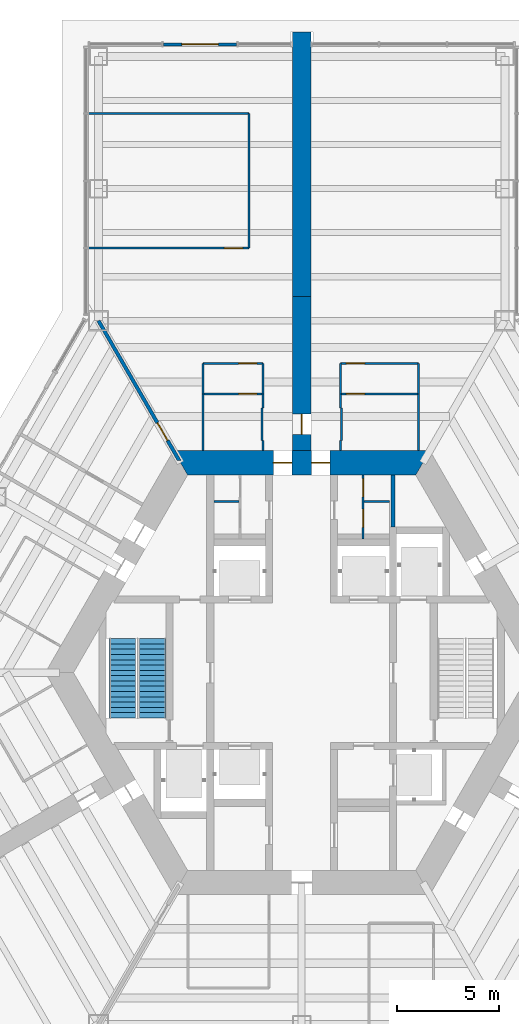
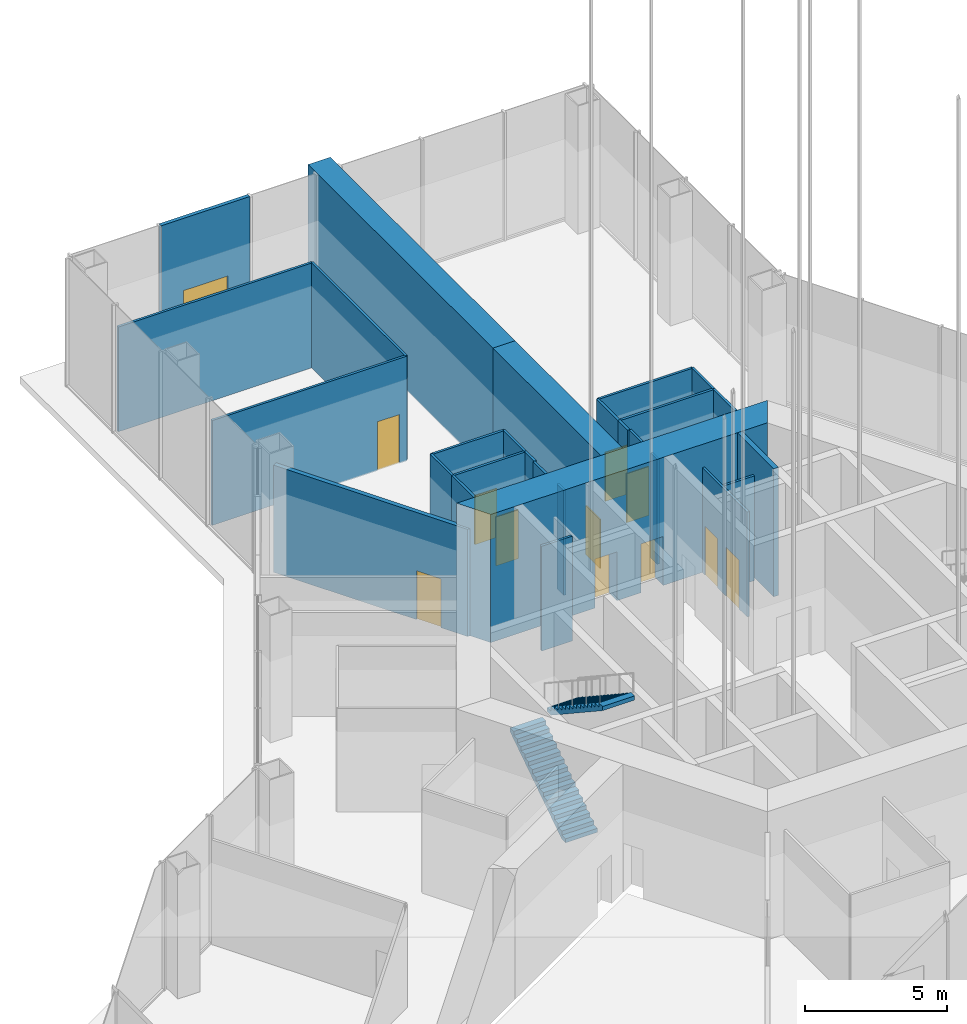
# One storey, part 12 of 18: 28 walls, 12 doors, 2 stair flights, 12 openings, 1 element without a shape of its own.
"""IFC4 building model written with IfcOpenShell, lengths in metres."""

from ifc_helpers import new_model, si_unit, direction, frame, frame_2d, origin, place, context, subcontext, project, spatial, polyline, rectangle, outline, extrude, material, layer, layer_set, type_object, element, fill, aggregate, save


model = new_model("IFC4")

# Units and contexts
model_context = context("Model", 3, precision=1e-05, world=origin(), true_north=direction((0.0, 1.0)))
body_context = subcontext(model_context, "Body", "Model", "MODEL_VIEW")
ifc_project = project(units=[si_unit("LENGTHUNIT", "METRE"), si_unit("AREAUNIT", "SQUARE_METRE"), si_unit("VOLUMEUNIT", "CUBIC_METRE"), si_unit("PLANEANGLEUNIT", "RADIAN"), si_unit("MASSUNIT", "GRAM", prefix="KILO")], contexts=[model_context])

# Site, building, storey
site_placement = place(None, origin())
site = spatial("IfcSite", under=ifc_project, at=site_placement, CompositionType="ELEMENT")
building_placement = place(site_placement, origin())
building = spatial("IfcBuilding", under=site, at=building_placement, Name="Kasaneha Research Tower", CompositionType="ELEMENT")
storey_placement = place(building_placement, origin())
storey = spatial("IfcBuildingStorey", under=building, at=storey_placement, Name="L01", CompositionType="ELEMENT", Elevation=0.0)

# Wall, openings, doors
ifc_material_1 = material(Name="Concrete Fc100", Category="concrete")
ifc_layer_1 = layer(ifc_material_1, 1.199951171875)
ifc_layer_set_1 = layer_set([ifc_layer_1], Name="Core wall 1200 Fc100")
wall_type_1 = type_object("IfcWallType", Name="Core wall 1200 Fc100", PredefinedType="SHEAR", material=ifc_layer_set_1)
wall_1_placement = place(storey_placement, frame((5.961181640625, 10.324951171875, 0.0), z_axis=(0.0, 0.0, 1.0), x_axis=(-1.0, 0.0, 0.0)))
wall_1 = element("IfcWall", 1, at=wall_1_placement, inside=storey, type_object=wall_type_1, Name="Core wall 090 L01", PredefinedType="SHEAR", context=body_context, shape_type="SweptSolid", body=[
    extrude(outline(polyline([(-0.346435546875, -0.60009765625), (4.57373046875, -0.60009765625), (5.4736328125, -0.60009765625), (6.44873046875, -0.60009765625), (7.3486328125, -0.60009765625), (12.268798828125, -0.60009765625), (11.575927734375, 0.60009765625), (7.3486328125, 0.60009765625), (6.44873046875, 0.60009765625), (5.4736328125, 0.60009765625), (4.57373046875, 0.60009765625), (0.346435546875, 0.60009765625), (-0.346435546875, -0.60009765625)])), origin(), (0.0, 0.0, 1.0), 5.5),
])
opening_1_placement = place(wall_1_placement, frame((6.44873046875, 0.0, 0.0)))
opening_1 = element("IfcOpeningElement", 2, at=opening_1_placement, cuts=wall_1, Name="Opening L01-D01", PredefinedType="OPENING", context=body_context, shape_type="SweptSolid", body=[
    extrude(rectangle(XDim=0.89990234375, YDim=2.10009765625, at=frame_2d((0.449951171875, 1.050048828125))), frame((0.0, 0.60986328125, 0.0), z_axis=(0.0, -1.0, 0.0), x_axis=(1.0, 0.0, 0.0)), (0.0, 0.0, 1.0), 1.219970703125),
])
opening_2_placement = place(wall_1_placement, frame((4.57373046875, 0.0, 0.0)))
opening_2 = element("IfcOpeningElement", 3, at=opening_2_placement, cuts=wall_1, Name="Opening L01-D02", PredefinedType="OPENING", context=body_context, shape_type="SweptSolid", body=[
    extrude(rectangle(XDim=0.89990234375, YDim=2.10009765625, at=frame_2d((0.449951171875, 1.050048828125))), frame((0.0, 0.60986328125, 0.0), z_axis=(0.0, -1.0, 0.0), x_axis=(1.0, 0.0, 0.0)), (0.0, 0.0, 1.0), 1.219970703125),
])
ifc_material_2 = material(Name="Steel", Category="steel")
door_type_1 = type_object("IfcDoorType", Name="Toilet door FD20 900x2100", OperationType="NOTDEFINED", PredefinedType="DOOR", material=ifc_material_2)
door_1_placement = place(opening_1_placement, origin())
door_1 = element("IfcDoor", 4, at=door_1_placement, inside=storey, type_object=door_type_1, Name="Core door north 1 L01-D01", OperationType="SINGLE_SWING_RIGHT", OverallHeight=2.10009765625, OverallWidth=0.89990234375, PredefinedType="DOOR", context=body_context, shape_type="SweptSolid", body=[
    extrude(rectangle(XDim=0.89990234375, YDim=2.10009765625, at=frame_2d((0.449951171875, 1.050048828125))), frame((0.0, 0.02490234375, 0.0), z_axis=(0.0, -1.0, 0.0), x_axis=(1.0, 0.0, 0.0)), (0.0, 0.0, 1.0), 0.050048828125),
])
fill(opening_1, door_1)
door_2_placement = place(opening_2_placement, origin())
door_2 = element("IfcDoor", 5, at=door_2_placement, inside=storey, type_object=door_type_1, Name="Core door north 2 L01-D02", OperationType="SINGLE_SWING_LEFT", OverallHeight=2.10009765625, OverallWidth=0.89990234375, PredefinedType="DOOR", context=body_context, shape_type="SweptSolid", body=[
    extrude(rectangle(XDim=0.89990234375, YDim=2.10009765625, at=frame_2d((0.449951171875, 1.050048828125))), frame((0.0, 0.02490234375, 0.0), z_axis=(0.0, -1.0, 0.0), x_axis=(1.0, 0.0, 0.0)), (0.0, 0.0, 1.0), 0.050048828125),
])
fill(opening_2, door_2)

# Wall, opening, door
ifc_material_3 = material(Name="Glass and aluminium", Category="aluminium")
ifc_layer_2 = layer(ifc_material_3, 0.14990234375)
ifc_layer_set_2 = layer_set([ifc_layer_2], Name="Glazed entrance screen 150")
wall_type_2 = type_object("IfcWallType", Name="Glazed entrance screen 150", PredefinedType="STANDARD", material=ifc_layer_set_2)
wall_2_placement = place(storey_placement, frame((-3.199951171875, 30.92041015625, 0.0), z_axis=(0.0, 0.0, 1.0), x_axis=(-1.0, 0.0, 0.0)))
wall_2 = element("IfcWall", 6, at=wall_2_placement, inside=storey, type_object=wall_type_2, Name="Glazed entrance screen L01", PredefinedType="STANDARD", context=body_context, shape_type="SweptSolid", body=[
    extrude(rectangle(XDim=3.60009765625, YDim=0.14990234375, at=frame_2d((1.800048828125, 0.0))), origin(), (0.0, 0.0, 1.0), 5.5),
])
opening_3_placement = place(wall_2_placement, frame((0.89990234375, 0.0, 0.0)))
opening_3 = element("IfcOpeningElement", 7, at=opening_3_placement, cuts=wall_2, Name="Opening L01-ED04", PredefinedType="OPENING", context=body_context, shape_type="SweptSolid", body=[
    extrude(rectangle(XDim=1.800048828125, YDim=2.39990234375, at=frame_2d((0.89990234375, 1.199951171875))), frame((0.0, 0.0849609375, 0.0), z_axis=(0.0, -1.0, 0.0), x_axis=(1.0, 0.0, 0.0)), (0.0, 0.0, 1.0), 0.169921875),
])
ifc_material_4 = material(Name="Glass and aluminium", Category="aluminium")
door_type_2 = type_object("IfcDoorType", Name="Entrance door 1800x2400", OperationType="DOUBLE_DOOR_SINGLE_SWING", PredefinedType="DOOR", material=ifc_material_4)
door_3_placement = place(opening_3_placement, origin())
door_3 = element("IfcDoor", 8, at=door_3_placement, inside=storey, type_object=door_type_2, Name="Entrance door L01-ED04", OperationType="DOUBLE_DOOR_SINGLE_SWING", OverallHeight=2.39990234375, OverallWidth=1.800048828125, PredefinedType="DOOR", context=body_context, shape_type="SweptSolid", body=[
    extrude(rectangle(XDim=1.800048828125, YDim=2.39990234375, at=frame_2d((0.89990234375, 1.199951171875))), frame((0.0, 0.02490234375, 0.0), z_axis=(0.0, -1.0, 0.0), x_axis=(1.0, 0.0, 0.0)), (0.0, 0.0, 1.0), 0.050048828125),
])
fill(opening_3, door_3)

# Wall
ifc_material_5 = material(Name="Gypsum board on steel studs, one layer each side", Category="steel")
ifc_layer_3 = layer(ifc_material_5, 0.10009765625)
ifc_layer_set_3 = layer_set([ifc_layer_3], Name="Office partition 100")
wall_type_3 = type_object("IfcWallType", Name="Office partition 100", PredefinedType="PARTITIONING", material=ifc_layer_set_3)
wall_3_placement = place(storey_placement, frame((-3.074951171875, 8.425048828125, 0.0), z_axis=(0.0, 0.0, 1.0), x_axis=(-1.0, 0.0, 0.0)))
element("IfcWall", 9, at=wall_3_placement, inside=storey, type_object=wall_type_3, Name="Office partition TBM2 L01", PredefinedType="PARTITIONING", context=body_context, shape_type="SweptSolid", body=[
    extrude(rectangle(XDim=1.25, YDim=0.10009765625, at=frame_2d((0.625, 0.0))), origin(), (0.0, 0.0, 1.0), 4.5),
])

# Wall, openings, doors
wall_4_placement = place(storey_placement, frame((3.02490234375, 6.574951171875, 0.0), z_axis=(0.0, 0.0, 1.0), x_axis=(0.0, 1.0, 0.0)))
wall_4 = element("IfcWall", 10, at=wall_4_placement, inside=storey, type_object=wall_type_3, Name="Office partition TBF1 L01", PredefinedType="PARTITIONING", context=body_context, shape_type="SweptSolid", body=[
    extrude(rectangle(XDim=3.150146484375, YDim=0.10009765625, at=frame_2d((1.5751953125, 0.0))), origin(), (0.0, 0.0, 1.0), 4.5),
])
opening_4_placement = place(wall_4_placement, frame((0.574951171875, 0.0, 0.0)))
opening_4 = element("IfcOpeningElement", 11, at=opening_4_placement, cuts=wall_4, Name="Opening L01-D22", PredefinedType="OPENING", context=body_context, shape_type="SweptSolid", body=[
    extrude(rectangle(XDim=0.89990234375, YDim=2.10009765625, at=frame_2d((0.449951171875, 1.050048828125))), frame((0.0, 0.06005859375, 0.0), z_axis=(0.0, -1.0, 0.0), x_axis=(1.0, 0.0, 0.0)), (0.0, 0.0, 1.0), 0.1201171875),
])
opening_5_placement = place(wall_4_placement, frame((2.074951171875, 0.0, 0.0)))
opening_5 = element("IfcOpeningElement", 12, at=opening_5_placement, cuts=wall_4, Name="Opening L01-D23", PredefinedType="OPENING", context=body_context, shape_type="SweptSolid", body=[
    extrude(rectangle(XDim=0.89990234375, YDim=2.10009765625, at=frame_2d((0.449951171875, 1.050048828125))), frame((0.0, 0.06005859375, 0.0), z_axis=(0.0, -1.0, 0.0), x_axis=(1.0, 0.0, 0.0)), (0.0, 0.0, 1.0), 0.1201171875),
])
ifc_material_6 = material(Name="Steel", Category="steel")
door_type_3 = type_object("IfcDoorType", Name="Toilet lobby door FD30 900x2100", OperationType="NOTDEFINED", PredefinedType="DOOR", material=ifc_material_6)
door_4_placement = place(opening_4_placement, origin())
door_4 = element("IfcDoor", 13, at=door_4_placement, inside=storey, type_object=door_type_3, Name="Women's WC door L01-D22", OperationType="SINGLE_SWING_RIGHT", OverallHeight=2.10009765625, OverallWidth=0.89990234375, PredefinedType="DOOR", context=body_context, shape_type="SweptSolid", body=[
    extrude(rectangle(XDim=0.89990234375, YDim=2.10009765625, at=frame_2d((0.449951171875, 1.050048828125))), frame((0.0, 0.02490234375, 0.0), z_axis=(0.0, -1.0, 0.0), x_axis=(1.0, 0.0, 0.0)), (0.0, 0.0, 1.0), 0.050048828125),
])
fill(opening_4, door_4)
door_5_placement = place(opening_5_placement, origin())
door_5 = element("IfcDoor", 14, at=door_5_placement, inside=storey, type_object=door_type_3, Name="Cleaner's store door L01-D23", OperationType="SINGLE_SWING_RIGHT", OverallHeight=2.10009765625, OverallWidth=0.89990234375, PredefinedType="DOOR", context=body_context, shape_type="SweptSolid", body=[
    extrude(rectangle(XDim=0.89990234375, YDim=2.10009765625, at=frame_2d((0.449951171875, 1.050048828125))), frame((0.0, 0.02490234375, 0.0), z_axis=(0.0, -1.0, 0.0), x_axis=(1.0, 0.0, 0.0)), (0.0, 0.0, 1.0), 0.050048828125),
])
fill(opening_5, door_5)

# Wall
wall_5_placement = place(storey_placement, frame((3.074951171875, 8.425048828125, 0.0), z_axis=(0.0, 0.0, 1.0), x_axis=(1.0, 0.0, 0.0)))
element("IfcWall", 15, at=wall_5_placement, inside=storey, type_object=wall_type_3, Name="Office partition TBF2 L01", PredefinedType="PARTITIONING", context=body_context, shape_type="SweptSolid", body=[
    extrude(rectangle(XDim=1.25, YDim=0.10009765625, at=frame_2d((0.625, 0.0))), origin(), (0.0, 0.0, 1.0), 4.5),
])

# Wall, opening, door
wall_6_placement = place(storey_placement, frame((1.89990234375, 13.719970703125, 0.0), z_axis=(0.0, 0.0, 1.0), x_axis=(1.0, 0.0, 0.0)))
wall_6 = element("IfcWall", 16, at=wall_6_placement, inside=storey, type_object=wall_type_3, Name="Office partition FAE01 L01", PredefinedType="PARTITIONING", context=body_context, shape_type="SweptSolid", body=[
    extrude(rectangle(XDim=3.857177734375, YDim=0.10009765625, at=frame_2d((1.9287109375, 0.0))), origin(), (0.0, 0.0, 1.0), 4.5),
])
opening_6_placement = place(wall_6_placement, frame((0.300048828125, 0.0, 0.0)))
opening_6 = element("IfcOpeningElement", 17, at=opening_6_placement, cuts=wall_6, Name="Opening L01-D27", PredefinedType="OPENING", context=body_context, shape_type="SweptSolid", body=[
    extrude(rectangle(XDim=0.89990234375, YDim=2.10009765625, at=frame_2d((0.449951171875, 1.050048828125))), frame((0.0, 0.06005859375, 0.0), z_axis=(0.0, -1.0, 0.0), x_axis=(1.0, 0.0, 0.0)), (0.0, 0.0, 1.0), 0.1201171875),
])
door_6_placement = place(opening_6_placement, origin())
door_6 = element("IfcDoor", 18, at=door_6_placement, inside=storey, type_object=door_type_3, Name="Women's WC door L01-D27", OperationType="SINGLE_SWING_LEFT", OverallHeight=2.10009765625, OverallWidth=0.89990234375, PredefinedType="DOOR", context=body_context, shape_type="SweptSolid", body=[
    extrude(rectangle(XDim=0.89990234375, YDim=2.10009765625, at=frame_2d((0.449951171875, 1.050048828125))), frame((0.0, 0.02490234375, 0.0), z_axis=(0.0, -1.0, 0.0), x_axis=(1.0, 0.0, 0.0)), (0.0, 0.0, 1.0), 0.050048828125),
])
fill(opening_6, door_6)

# Walls
wall_7_placement = place(storey_placement, frame((1.89990234375, 10.945068359375, 0.0), z_axis=(0.0, 0.0, 1.0), x_axis=(0.0, 1.0, 0.0)))
element("IfcWall", 19, at=wall_7_placement, inside=storey, type_object=wall_type_3, Name="Office partition FAE02 L01", PredefinedType="PARTITIONING", context=body_context, shape_type="SweptSolid", body=[
    extrude(rectangle(XDim=0.47998046875, YDim=0.10009765625, at=frame_2d((0.239990234375, 0.0))), origin(), (0.0, 0.0, 1.0), 4.5),
])
wall_8_placement = place(storey_placement, frame((1.89990234375, 13.02490234375, 0.0), z_axis=(0.0, 0.0, 1.0), x_axis=(0.006624680291, 0.999978056565, 0.0)))
element("IfcWall", 20, at=wall_8_placement, inside=storey, type_object=wall_type_3, Name="Office partition FAE03 L01", PredefinedType="PARTITIONING", context=body_context, shape_type="SweptSolid", body=[
    extrude(rectangle(XDim=0.7001953125, YDim=0.10009765625, at=frame_2d((0.35009765625, 0.0))), origin(), (0.0, 0.0, 1.0), 4.5),
])
wall_9_placement = place(storey_placement, frame((1.949951171875, 11.425048828125, 0.0), z_axis=(0.0, 0.0, 1.0), x_axis=(0.0, 1.0, 0.0)))
element("IfcWall", 21, at=wall_9_placement, inside=storey, type_object=wall_type_3, Name="Office partition FAE04 L01", PredefinedType="PARTITIONING", context=body_context, shape_type="SweptSolid", body=[
    extrude(rectangle(XDim=1.599853515625, YDim=0.10009765625, at=frame_2d((0.7998046875, 0.0))), origin(), (0.0, 0.0, 1.0), 4.5),
])
wall_10_placement = place(storey_placement, frame((5.752197265625, 13.72509765625, 0.0), z_axis=(0.0, 0.0, 1.0), x_axis=(0.001756386155, -0.999998457553, 0.0)))
element("IfcWall", 22, at=wall_10_placement, inside=storey, type_object=wall_type_3, Name="Office partition FAE05 L01", PredefinedType="PARTITIONING", context=body_context, shape_type="SweptSolid", body=[
    extrude(rectangle(XDim=2.780029296875, YDim=0.10009765625, at=frame_2d((1.39013671875, 0.0))), origin(), (0.0, 0.0, 1.0), 4.5),
])

# Wall, opening, door
wall_11_placement = place(storey_placement, frame((1.89990234375, 15.22509765625, 0.0), z_axis=(0.0, 0.0, 1.0), x_axis=(1.0, 0.0, 0.0)))
wall_11 = element("IfcWall", 23, at=wall_11_placement, inside=storey, type_object=wall_type_3, Name="Office partition FAE06 L01", PredefinedType="PARTITIONING", context=body_context, shape_type="SweptSolid", body=[
    extrude(rectangle(XDim=3.857177734375, YDim=0.10009765625, at=frame_2d((1.9287109375, 0.0))), origin(), (0.0, 0.0, 1.0), 4.5),
])
opening_7_placement = place(wall_11_placement, frame((0.300048828125, 0.0, 0.0)))
opening_7 = element("IfcOpeningElement", 24, at=opening_7_placement, cuts=wall_11, Name="Opening L01-D28", PredefinedType="OPENING", context=body_context, shape_type="SweptSolid", body=[
    extrude(rectangle(XDim=0.89990234375, YDim=2.10009765625, at=frame_2d((0.449951171875, 1.050048828125))), frame((0.0, 0.06005859375, 0.0), z_axis=(0.0, -1.0, 0.0), x_axis=(1.0, 0.0, 0.0)), (0.0, 0.0, 1.0), 0.1201171875),
])
door_7_placement = place(opening_7_placement, origin())
door_7 = element("IfcDoor", 25, at=door_7_placement, inside=storey, type_object=door_type_3, Name="Toilet lobby door L01-D28", OperationType="SINGLE_SWING_LEFT", OverallHeight=2.10009765625, OverallWidth=0.89990234375, PredefinedType="DOOR", context=body_context, shape_type="SweptSolid", body=[
    extrude(rectangle(XDim=0.89990234375, YDim=2.10009765625, at=frame_2d((0.449951171875, 1.050048828125))), frame((0.0, 0.02490234375, 0.0), z_axis=(0.0, -1.0, 0.0), x_axis=(1.0, 0.0, 0.0)), (0.0, 0.0, 1.0), 0.050048828125),
])
fill(opening_7, door_7)

# Walls
for number, where, z_axis, x_axis, name in (
    (26, (1.904541015625, 13.72509765625, 0.0), (0.0, 0.0, 1.0), (-0.00309243313, 0.999995218417, 0.0), "Office partition FAE07 L01"),
    (27, (5.757080078125, 15.22509765625, 0.0), (0.0, 0.0, 1.0), (-0.003255191087, -0.999994701851, 0.0), "Office partition FAE08 L01"),
):
    element("IfcWall", number, at=place(storey_placement, frame(where, z_axis=z_axis, x_axis=x_axis)), inside=storey, type_object=wall_type_3, Name=name, PredefinedType="PARTITIONING", context=body_context, shape_type="SweptSolid", body=[
        extrude(rectangle(XDim=1.5, YDim=0.10009765625, at=frame_2d((0.75, 0.0))), origin(), (0.0, 0.0, 1.0), 4.5),
    ])

# Wall, opening, door
wall_12_placement = place(storey_placement, frame((-4.85009765625, 13.719970703125, 0.0), z_axis=(0.0, 0.0, 1.0), x_axis=(1.0, 0.0, 0.0)))
wall_12 = element("IfcWall", 28, at=wall_12_placement, inside=storey, type_object=wall_type_3, Name="Office partition FAW01 L01", PredefinedType="PARTITIONING", context=body_context, shape_type="SweptSolid", body=[
    extrude(rectangle(XDim=2.9501953125, YDim=0.10009765625, at=frame_2d((1.47509765625, 0.0))), origin(), (0.0, 0.0, 1.0), 4.5),
])
opening_8_placement = place(wall_12_placement, frame((1.75, 0.0, 0.0)))
opening_8 = element("IfcOpeningElement", 29, at=opening_8_placement, cuts=wall_12, Name="Opening L01-D29", PredefinedType="OPENING", context=body_context, shape_type="SweptSolid", body=[
    extrude(rectangle(XDim=0.89990234375, YDim=2.10009765625, at=frame_2d((0.449951171875, 1.050048828125))), frame((0.0, 0.06005859375, 0.0), z_axis=(0.0, -1.0, 0.0), x_axis=(1.0, 0.0, 0.0)), (0.0, 0.0, 1.0), 0.1201171875),
])
door_8_placement = place(opening_8_placement, origin())
door_8 = element("IfcDoor", 30, at=door_8_placement, inside=storey, type_object=door_type_3, Name="Men's WC door L01-D29", OperationType="SINGLE_SWING_RIGHT", OverallHeight=2.10009765625, OverallWidth=0.89990234375, PredefinedType="DOOR", context=body_context, shape_type="SweptSolid", body=[
    extrude(rectangle(XDim=0.89990234375, YDim=2.10009765625, at=frame_2d((0.449951171875, 1.050048828125))), frame((0.0, 0.02490234375, 0.0), z_axis=(0.0, -1.0, 0.0), x_axis=(1.0, 0.0, 0.0)), (0.0, 0.0, 1.0), 0.050048828125),
])
fill(opening_8, door_8)

# Walls
wall_13_placement = place(storey_placement, frame((-4.85009765625, 10.945068359375, 0.0), z_axis=(0.0, 0.0, 1.0), x_axis=(0.001756386155, 0.999998457553, 0.0)))
element("IfcWall", 31, at=wall_13_placement, inside=storey, type_object=wall_type_3, Name="Office partition FAW02 L01", PredefinedType="PARTITIONING", context=body_context, shape_type="SweptSolid", body=[
    extrude(rectangle(XDim=2.780029296875, YDim=0.10009765625, at=frame_2d((1.39013671875, 0.0))), origin(), (0.0, 0.0, 1.0), 4.5),
])
wall_14_placement = place(storey_placement, frame((-1.949951171875, 13.02490234375, 0.0), z_axis=(0.0, 0.0, 1.0), x_axis=(0.0, -1.0, 0.0)))
element("IfcWall", 32, at=wall_14_placement, inside=storey, type_object=wall_type_3, Name="Office partition FAW03 L01", PredefinedType="PARTITIONING", context=body_context, shape_type="SweptSolid", body=[
    extrude(rectangle(XDim=1.599853515625, YDim=0.10009765625, at=frame_2d((0.7998046875, 0.0))), origin(), (0.0, 0.0, 1.0), 4.5),
])
wall_15_placement = place(storey_placement, frame((-1.904541015625, 13.72509765625, 0.0), z_axis=(0.0, 0.0, 1.0), x_axis=(0.006624680291, -0.999978056565, 0.0)))
element("IfcWall", 33, at=wall_15_placement, inside=storey, type_object=wall_type_3, Name="Office partition FAW04 L01", PredefinedType="PARTITIONING", context=body_context, shape_type="SweptSolid", body=[
    extrude(rectangle(XDim=0.7001953125, YDim=0.10009765625, at=frame_2d((0.35009765625, 0.0))), origin(), (0.0, 0.0, 1.0), 4.5),
])
wall_16_placement = place(storey_placement, frame((-1.89990234375, 11.425048828125, 0.0), z_axis=(0.0, 0.0, 1.0), x_axis=(0.0, -1.0, 0.0)))
element("IfcWall", 34, at=wall_16_placement, inside=storey, type_object=wall_type_3, Name="Office partition FAW05 L01", PredefinedType="PARTITIONING", context=body_context, shape_type="SweptSolid", body=[
    extrude(rectangle(XDim=0.47998046875, YDim=0.10009765625, at=frame_2d((0.239990234375, 0.0))), origin(), (0.0, 0.0, 1.0), 4.5),
])

# Wall, opening, door
wall_17_placement = place(storey_placement, frame((-4.85009765625, 15.22509765625, 0.0), z_axis=(0.0, 0.0, 1.0), x_axis=(1.0, 0.0, 0.0)))
wall_17 = element("IfcWall", 35, at=wall_17_placement, inside=storey, type_object=wall_type_3, Name="Office partition FAW06 L01", PredefinedType="PARTITIONING", context=body_context, shape_type="SweptSolid", body=[
    extrude(rectangle(XDim=2.9501953125, YDim=0.10009765625, at=frame_2d((1.47509765625, 0.0))), origin(), (0.0, 0.0, 1.0), 4.5),
])
opening_9_placement = place(wall_17_placement, frame((1.75, 0.0, 0.0)))
opening_9 = element("IfcOpeningElement", 36, at=opening_9_placement, cuts=wall_17, Name="Opening L01-D30", PredefinedType="OPENING", context=body_context, shape_type="SweptSolid", body=[
    extrude(rectangle(XDim=0.89990234375, YDim=2.10009765625, at=frame_2d((0.449951171875, 1.050048828125))), frame((0.0, 0.06005859375, 0.0), z_axis=(0.0, -1.0, 0.0), x_axis=(1.0, 0.0, 0.0)), (0.0, 0.0, 1.0), 0.1201171875),
])
door_9_placement = place(opening_9_placement, origin())
door_9 = element("IfcDoor", 37, at=door_9_placement, inside=storey, type_object=door_type_3, Name="Toilet lobby door L01-D30", OperationType="SINGLE_SWING_RIGHT", OverallHeight=2.10009765625, OverallWidth=0.89990234375, PredefinedType="DOOR", context=body_context, shape_type="SweptSolid", body=[
    extrude(rectangle(XDim=0.89990234375, YDim=2.10009765625, at=frame_2d((0.449951171875, 1.050048828125))), frame((0.0, 0.02490234375, 0.0), z_axis=(0.0, -1.0, 0.0), x_axis=(1.0, 0.0, 0.0)), (0.0, 0.0, 1.0), 0.050048828125),
])
fill(opening_9, door_9)

# Walls
for number, where, z_axis, x_axis, name in (
    (38, (-4.84521484375, 13.72509765625, 0.0), (0.0, 0.0, 1.0), (-0.003255191087, 0.999994701851, 0.0), "Office partition FAW07 L01"),
    (39, (-1.89990234375, 15.22509765625, 0.0), (0.0, 0.0, 1.0), (-0.00309243313, -0.999995218417, 0.0), "Office partition FAW08 L01"),
):
    element("IfcWall", number, at=place(storey_placement, frame(where, z_axis=z_axis, x_axis=x_axis)), inside=storey, type_object=wall_type_3, Name=name, PredefinedType="PARTITIONING", context=body_context, shape_type="SweptSolid", body=[
        extrude(rectangle(XDim=1.5, YDim=0.10009765625, at=frame_2d((0.75, 0.0))), origin(), (0.0, 0.0, 1.0), 4.5),
    ])
wall_18_placement = place(storey_placement, frame((-10.5, 27.5107421875, 0.0), z_axis=(0.0, 0.0, 1.0), x_axis=(1.0, 0.0, 0.0)))
element("IfcWall", 40, at=wall_18_placement, inside=storey, type_object=wall_type_3, Name="Office partition FAW09 L01", PredefinedType="PARTITIONING", context=body_context, shape_type="SweptSolid", body=[
    extrude(rectangle(XDim=7.89990234375, YDim=0.10009765625, at=frame_2d((3.949951171875, 0.0))), origin(), (0.0, 0.0, 1.0), 4.5),
])

# Wall, opening, door
wall_19_placement = place(storey_placement, frame((-2.60009765625, 20.89111328125, 0.0), z_axis=(0.0, 0.0, 1.0), x_axis=(-1.0, 0.0, 0.0)))
wall_19 = element("IfcWall", 41, at=wall_19_placement, inside=storey, type_object=wall_type_3, Name="Office partition FAW10 L01", PredefinedType="PARTITIONING", context=body_context, shape_type="SweptSolid", body=[
    extrude(rectangle(XDim=7.89990234375, YDim=0.10009765625, at=frame_2d((3.949951171875, 0.0))), origin(), (0.0, 0.0, 1.0), 4.5),
])
opening_10_placement = place(wall_19_placement, frame((0.300048828125, 0.0, 0.0)))
opening_10 = element("IfcOpeningElement", 42, at=opening_10_placement, cuts=wall_19, Name="Opening L01-D31", PredefinedType="OPENING", context=body_context, shape_type="SweptSolid", body=[
    extrude(rectangle(XDim=0.89990234375, YDim=2.10009765625, at=frame_2d((0.449951171875, 1.050048828125))), frame((0.0, 0.06005859375, 0.0), z_axis=(0.0, -1.0, 0.0), x_axis=(1.0, 0.0, 0.0)), (0.0, 0.0, 1.0), 0.1201171875),
])
ifc_material_7 = material(Name="Timber veneer", Category="wood")
door_type_4 = type_object("IfcDoorType", Name="Office door 900x2100", OperationType="SINGLE_SWING_LEFT", PredefinedType="DOOR", material=ifc_material_7)
door_10_placement = place(opening_10_placement, origin())
door_10 = element("IfcDoor", 43, at=door_10_placement, inside=storey, type_object=door_type_4, Name="Visitor reception room door L01-D31", OperationType="SINGLE_SWING_LEFT", OverallHeight=2.10009765625, OverallWidth=0.89990234375, PredefinedType="DOOR", context=body_context, shape_type="SweptSolid", body=[
    extrude(rectangle(XDim=0.89990234375, YDim=2.10009765625, at=frame_2d((0.449951171875, 1.050048828125))), frame((0.0, 0.02490234375, 0.0), z_axis=(0.0, -1.0, 0.0), x_axis=(1.0, 0.0, 0.0)), (0.0, 0.0, 1.0), 0.050048828125),
])
fill(opening_10, door_10)

# Walls
wall_20_placement = place(storey_placement, frame((-2.60009765625, 27.5107421875, 0.0), z_axis=(0.0, 0.0, 1.0), x_axis=(0.0, -1.0, 0.0)))
element("IfcWall", 44, at=wall_20_placement, inside=storey, type_object=wall_type_3, Name="Office partition FAW11 L01", PredefinedType="PARTITIONING", context=body_context, shape_type="SweptSolid", body=[
    extrude(rectangle(XDim=6.61962890625, YDim=0.10009765625, at=frame_2d((3.309814453125, 0.0))), origin(), (0.0, 0.0, 1.0), 4.5),
])
ifc_material_8 = material(Name="Concrete block", Category="concrete")
ifc_layer_4 = layer(ifc_material_8, 0.199951171875)
ifc_layer_set_4 = layer_set([ifc_layer_4], Name="Riser enclosure wall 200")
wall_type_4 = type_object("IfcWallType", Name="Riser enclosure wall 200", PredefinedType="STANDARD", material=ifc_layer_set_4)
wall_21_placement = place(storey_placement, frame((4.5, 7.175048828125, 0.0), z_axis=(0.0, 0.0, 1.0), x_axis=(0.0, 1.0, 0.0)))
element("IfcWall", 45, at=wall_21_placement, inside=storey, type_object=wall_type_4, Name="Riser enclosure wall L01", PredefinedType="STANDARD", context=body_context, shape_type="SweptSolid", body=[
    extrude(rectangle(XDim=2.550048828125, YDim=0.199951171875, at=frame_2d((1.27490234375, 0.0))), origin(), (0.0, 0.0, 1.0), 5.5),
])

# Wall, opening, door
ifc_material_9 = material(Name="Concrete Fc100", Category="concrete")
ifc_layer_5 = layer(ifc_material_9, 0.89990234375)
ifc_layer_set_5 = layer_set([ifc_layer_5], Name="Spine wall 900 Fc100")
wall_type_5 = type_object("IfcWallType", Name="Spine wall 900 Fc100", PredefinedType="SHEAR", material=ifc_layer_set_5)
wall_22_placement = place(storey_placement, frame((0.0, 10.925048828125, 0.0), z_axis=(0.0, 0.0, 1.0), x_axis=(0.0, 1.0, 0.0)))
wall_22 = element("IfcWall", 46, at=wall_22_placement, inside=storey, type_object=wall_type_5, Name="Spine wall A L01", PredefinedType="SHEAR", context=body_context, shape_type="SweptSolid", body=[
    extrude(rectangle(XDim=7.595458984375, YDim=0.89990234375, at=frame_2d((3.7978515625, 0.0))), origin(), (0.0, 0.0, 1.0), 5.5),
])
opening_11_placement = place(wall_22_placement, frame((0.800048828125, 0.0, 0.0)))
opening_11 = element("IfcOpeningElement", 47, at=opening_11_placement, cuts=wall_22, Name="Opening L01-D17", PredefinedType="OPENING", context=body_context, shape_type="SweptSolid", body=[
    extrude(rectangle(XDim=1.0, YDim=2.10009765625, at=frame_2d((0.5, 1.050048828125))), frame((0.0, 0.4599609375, 0.0), z_axis=(0.0, -1.0, 0.0), x_axis=(1.0, 0.0, 0.0)), (0.0, 0.0, 1.0), 0.919921875),
])
ifc_material_10 = material(Name="Steel", Category="steel")
door_type_5 = type_object("IfcDoorType", Name="Specified fire door FD60 1000x2100", OperationType="NOTDEFINED", PredefinedType="DOOR", material=ifc_material_10)
door_11_placement = place(opening_11_placement, origin())
door_11 = element("IfcDoor", 48, at=door_11_placement, inside=storey, type_object=door_type_5, Name="Spine doorway A L01-D17", OperationType="SINGLE_SWING_LEFT", OverallHeight=2.10009765625, OverallWidth=1.0, PredefinedType="DOOR", context=body_context, shape_type="SweptSolid", body=[
    extrude(rectangle(XDim=1.0, YDim=2.10009765625, at=frame_2d((0.5, 1.050048828125))), frame((0.0, 0.02490234375, 0.0), z_axis=(0.0, -1.0, 0.0), x_axis=(1.0, 0.0, 0.0)), (0.0, 0.0, 1.0), 0.050048828125),
])
fill(opening_11, door_11)

# Wall
wall_23_placement = place(storey_placement, frame((0.0, 18.5205078125, 0.0), z_axis=(0.0, 0.0, 1.0), x_axis=(0.0, 1.0, 0.0)))
element("IfcWall", 49, at=wall_23_placement, inside=storey, type_object=wall_type_5, Name="Spine wall A wing L01", PredefinedType="SHEAR", context=body_context, shape_type="SweptSolid", body=[
    extrude(rectangle(XDim=13.0, YDim=0.89990234375, at=frame_2d((6.5, 0.0))), origin(), (0.0, 0.0, 1.0), 5.5),
])

# Wall, opening, door
ifc_material_11 = material(Name="Gypsum board on steel studs, two layers each side", Category="steel")
ifc_layer_6 = layer(ifc_material_11, 0.175048828125)
ifc_layer_set_6 = layer_set([ifc_layer_6], Name="Tenancy fire partition 175")
wall_type_6 = type_object("IfcWallType", Name="Tenancy fire partition 175", PredefinedType="PARTITIONING", material=ifc_layer_set_6)
wall_24_placement = place(storey_placement, frame((-6.03515625, 10.453125, 0.0), z_axis=(0.0, 0.0, 1.0), x_axis=(-0.499993402427, 0.866029212861, 0.0)))
wall_24 = element("IfcWall", 50, at=wall_24_placement, inside=storey, type_object=wall_type_6, Name="Tenancy fire partition T120 L01", PredefinedType="PARTITIONING", context=body_context, shape_type="SweptSolid", body=[
    extrude(outline(polyline([(-0.050537109375, -0.08740234375), (1.12939453125, -0.08740234375), (2.12939453125, -0.08740234375), (7.9296875, -0.08740234375), (7.9296875, 0.08740234375), (2.12939453125, 0.08740234375), (1.12939453125, 0.08740234375), (0.050537109375, 0.08740234375), (-0.050537109375, -0.08740234375)])), origin(), (0.0, 0.0, 1.0), 4.60009765625),
])
opening_12_placement = place(wall_24_placement, frame((1.12939453125, 0.0, 0.0)))
opening_12 = element("IfcOpeningElement", 51, at=opening_12_placement, cuts=wall_24, Name="Opening L01-D25", PredefinedType="OPENING", context=body_context, shape_type="SweptSolid", body=[
    extrude(rectangle(XDim=1.0, YDim=2.10009765625, at=frame_2d((0.5, 1.050048828125))), frame((0.0, 0.09765625, 0.0), z_axis=(0.0, -1.0, 0.0), x_axis=(1.0, 0.0, 0.0)), (0.0, 0.0, 1.0), 0.195068359375),
])
ifc_material_12 = material(Name="Steel", Category="steel")
door_type_6 = type_object("IfcDoorType", Name="Suite entrance door FD60 1000x2100", OperationType="NOTDEFINED", PredefinedType="DOOR", material=ifc_material_12)
door_12_placement = place(opening_12_placement, origin())
door_12 = element("IfcDoor", 52, at=door_12_placement, inside=storey, type_object=door_type_6, Name="Connecting door L01-D25", OperationType="SINGLE_SWING_LEFT", OverallHeight=2.10009765625, OverallWidth=1.0, PredefinedType="DOOR", context=body_context, shape_type="SweptSolid", body=[
    extrude(rectangle(XDim=1.0, YDim=2.10009765625, at=frame_2d((0.5, 1.050048828125))), frame((0.0, 0.02490234375, 0.0), z_axis=(0.0, -1.0, 0.0), x_axis=(1.0, 0.0, 0.0)), (0.0, 0.0, 1.0), 0.050048828125),
])
fill(opening_12, door_12)

# Stair, stair flights
ifc_material_13 = material(Name="Concrete Fc24", Category="concrete")
stair_type = type_object("IfcStairType", Name="Half-turn stair 32 risers", PredefinedType="HALF_TURN_STAIR", material=ifc_material_13)
stair_placement = place(storey_placement, origin())
stair = element("IfcStair", 53, at=stair_placement, inside=storey, type_object=stair_type, Name="Stair 2 L01", PredefinedType="HALF_TURN_STAIR")
ifc_material_14 = material(Name="Concrete Fc24", Category="concrete")
stair_flight_type = type_object("IfcStairFlightType", Name="Stair flight 16 risers 171.9", PredefinedType="STRAIGHT", material=ifc_material_14)
stair_flight_1_placement = place(storey_placement, frame((-8.824951171875, -2.22509765625, 0.0), z_axis=(0.0, 0.0, 1.0), x_axis=(0.0, 1.0, 0.0)))
stair_flight_1 = element("IfcStairFlight", 54, at=stair_flight_1_placement, type_object=stair_flight_type, Name="ST2-32R flight 1", NumberOfRisers=16, NumberOfTreads=15, PredefinedType="STRAIGHT", RiserHeight=0.171875, TreadLength=0.26, context=body_context, shape_type="SweptSolid", body=[
    extrude(outline(polyline([(0.0, 0.0), (0.0, 0.171875), (0.260009765625, 0.171875), (0.260009765625, 0.34375), (0.52001953125, 0.34375), (0.52001953125, 0.515625), (0.780029296875, 0.515625), (0.780029296875, 0.6875), (1.0400390625, 0.6875), (1.0400390625, 0.859375), (1.300048828125, 0.859375), (1.300048828125, 1.03125), (1.56005859375, 1.03125), (1.56005859375, 1.203125), (1.820068359375, 1.203125), (1.820068359375, 1.375), (2.080078125, 1.375), (2.080078125, 1.546875), (2.340087890625, 1.546875), (2.340087890625, 1.71875), (2.60009765625, 1.71875), (2.60009765625, 1.890625), (2.860107421875, 1.890625), (2.860107421875, 2.0625), (3.1201171875, 2.0625), (3.1201171875, 2.234375), (3.3798828125, 2.234375), (3.3798828125, 2.40625), (3.639892578125, 2.40625), (3.639892578125, 2.578125), (3.89990234375, 2.578125), (3.89990234375, 2.75), (3.89990234375, 2.3984375), (0.271728515625, 0.0), (0.0, 0.0)])), frame((0.0, 0.64990234375, 0.0), z_axis=(0.0, -1.0, 0.0), x_axis=(1.0, 0.0, 0.0)), (0.0, 0.0, 1.0), 1.300048828125),
])
stair_flight_2_placement = place(storey_placement, frame((-7.324951171875, 1.675048828125, 2.75), z_axis=(0.0, 0.0, 1.0), x_axis=(0.0, -1.0, 0.0)))
stair_flight_2 = element("IfcStairFlight", 55, at=stair_flight_2_placement, type_object=stair_flight_type, Name="ST2-32R flight 2", NumberOfRisers=16, NumberOfTreads=15, PredefinedType="STRAIGHT", RiserHeight=0.171875, TreadLength=0.26, context=body_context, shape_type="SweptSolid", body=[
    extrude(outline(polyline([(0.0, 0.0), (0.0, 0.171875), (0.260009765625, 0.171875), (0.260009765625, 0.34375), (0.52001953125, 0.34375), (0.52001953125, 0.515625), (0.780029296875, 0.515625), (0.780029296875, 0.6875), (1.0400390625, 0.6875), (1.0400390625, 0.859375), (1.300048828125, 0.859375), (1.300048828125, 1.03125), (1.56005859375, 1.03125), (1.56005859375, 1.203125), (1.820068359375, 1.203125), (1.820068359375, 1.375), (2.080078125, 1.375), (2.080078125, 1.546875), (2.340087890625, 1.546875), (2.340087890625, 1.71875), (2.60009765625, 1.71875), (2.60009765625, 1.890625), (2.860107421875, 1.890625), (2.860107421875, 2.0625), (3.1201171875, 2.0625), (3.1201171875, 2.234375), (3.3798828125, 2.234375), (3.3798828125, 2.40625), (3.639892578125, 2.40625), (3.639892578125, 2.578125), (3.89990234375, 2.578125), (3.89990234375, 2.75), (3.89990234375, 2.3984375), (0.271728515625, 0.0), (0.0, 0.0)])), frame((0.0, 0.64990234375, 0.0), z_axis=(0.0, -1.0, 0.0), x_axis=(1.0, 0.0, 0.0)), (0.0, 0.0, 1.0), 1.300048828125),
])
aggregate(stair, [stair_flight_1, stair_flight_2])

save(model, "model.ifc")
